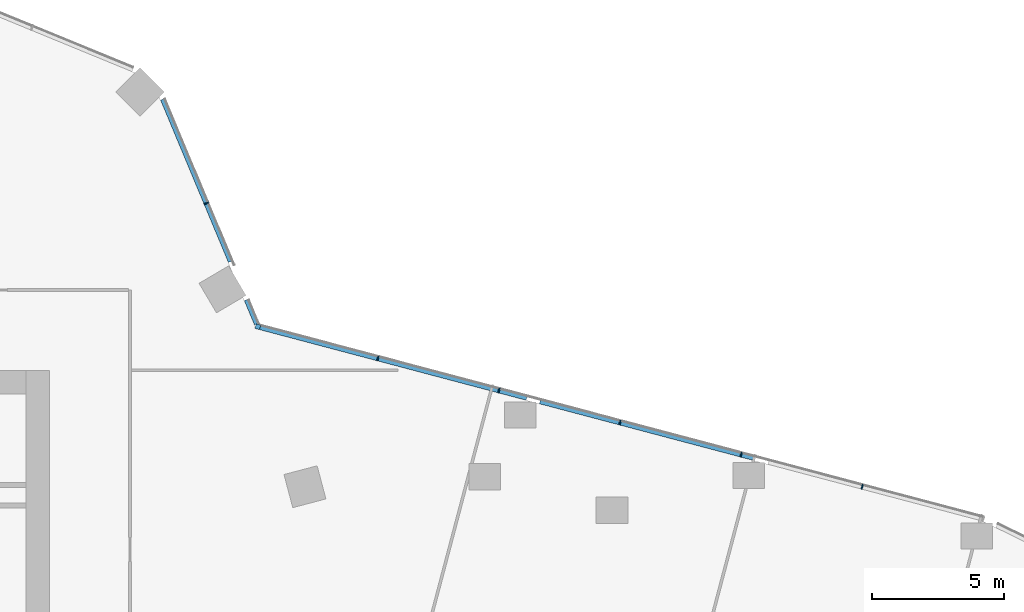
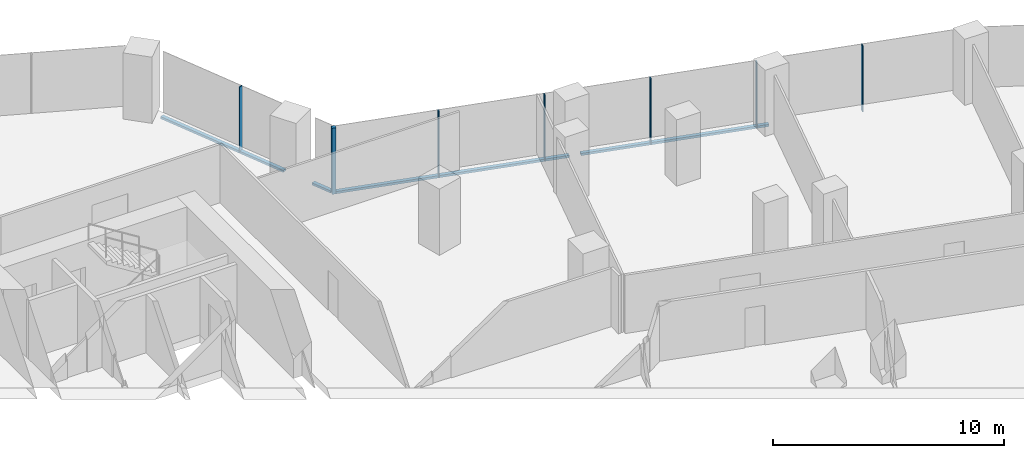
# One storey, part 14 of 34: 11 members, 2 elements without a shape of their own.
"""IFC4 building model written with IfcOpenShell, lengths in metres."""

from ifc_helpers import new_model, si_unit, direction, frame, origin, origin_2d, place, context, subcontext, project, spatial, rectangle, extrude, material, material_profile, profile_set, type_object, element, aggregate, save


model = new_model("IFC4")

# Units and contexts
model_context = context("Model", 3, precision=1e-05, world=origin(), true_north=direction((0.0, 1.0)))
body_context = subcontext(model_context, "Body", "Model", "MODEL_VIEW")
ifc_project = project(units=[si_unit("LENGTHUNIT", "METRE"), si_unit("AREAUNIT", "SQUARE_METRE"), si_unit("VOLUMEUNIT", "CUBIC_METRE"), si_unit("PLANEANGLEUNIT", "RADIAN"), si_unit("MASSUNIT", "GRAM", prefix="KILO")], contexts=[model_context])

# Site, building, storey
site_placement = place(None, origin())
site = spatial("IfcSite", under=ifc_project, at=site_placement, CompositionType="ELEMENT")
building_placement = place(site_placement, origin())
building = spatial("IfcBuilding", under=site, at=building_placement, Name="Orlundy Tower", CompositionType="ELEMENT")
storey_placement = place(building_placement, frame((0.0, 0.0, 105.699951171875)))
storey = spatial("IfcBuildingStorey", under=building, at=storey_placement, Name="L26", CompositionType="ELEMENT", Elevation=105.699951171875)

# Curtain wall, member
ifc_material_1 = material(Name="Aluminium bronze anodised", Category="aluminium")
curtain_wall_type = type_object("IfcCurtainWallType", Name="CW1 wall", PredefinedType="NOTDEFINED", material=ifc_material_1)
curtain_wall_1_placement = place(storey_placement, origin())
curtain_wall_1 = element("IfcCurtainWall", 1, at=curtain_wall_1_placement, inside=storey, type_object=curtain_wall_type, Name="CW1 run 018", PredefinedType="NOTDEFINED")
ifc_material_2 = material(Name="Aluminium bronze anodised", Category="aluminium")
ifc_material_profile_1 = material_profile(ifc_material_2, rectangle(XDim=0.179931640625, YDim=0.179931640625, at=origin_2d()), Name="CW1 corner post 180x180")
ifc_profile_set_1 = profile_set([ifc_material_profile_1], Name="Aluminium bronze anodised")
member_type_1 = type_object("IfcMemberType", Name="CW1 corner post 180x180", PredefinedType="MULLION", material=ifc_profile_set_1)
member_1_placement = place(storey_placement, frame((26.905029296875, 13.65771484375, -0.39990234375), z_axis=(0.0, 0.0, 1.0), x_axis=(0.256019713949, 0.966671560598, 0.0)))
member_1 = element("IfcMember", 2, at=member_1_placement, type_object=member_type_1, Name="CW1 mullion 51", PredefinedType="MULLION", context=body_context, shape_type="SweptSolid", body=[
    extrude(rectangle(XDim=0.179931640625, YDim=0.179931640625, at=origin_2d()), origin(), (0.0, 0.0, 1.0), 3.5),
])

curtain_wall_2_placement = place(storey_placement, origin())
curtain_wall_2 = element("IfcCurtainWall", 3, at=curtain_wall_2_placement, inside=storey, type_object=curtain_wall_type, Name="CW1 run 017", PredefinedType="NOTDEFINED")
ifc_material_3 = material(Name="Aluminium bronze anodised", Category="aluminium")
ifc_material_profile_2 = material_profile(ifc_material_3, rectangle(XDim=0.179931640625, YDim=0.050048828125, at=origin_2d()), Name="CW1 mullion 50x180")
ifc_profile_set_2 = profile_set([ifc_material_profile_2], Name="Aluminium bronze anodised")
member_type_2 = type_object("IfcMemberType", Name="CW1 mullion 50x180", PredefinedType="MULLION", material=ifc_profile_set_2)
member_2_placement = place(storey_placement, frame((24.949462890625, 18.339599609375, -0.39990234375), z_axis=(0.0, 0.0, 1.0), x_axis=(0.922758688949, 0.385378258299, 0.0)))
member_2 = element("IfcMember", 4, at=member_2_placement, type_object=member_type_2, Name="CW1 mullion 50", PredefinedType="MULLION", context=body_context, shape_type="SweptSolid", body=[
    extrude(rectangle(XDim=0.179931640625, YDim=0.050048828125, at=origin_2d()), origin(), (0.0, 0.0, 1.0), 3.5),
])

# Member
member_3_placement = place(storey_placement, frame((31.458984375, 12.451416015625, -0.39990234375), z_axis=(0.0, 0.0, 1.0), x_axis=(0.256019713949, 0.966671560598, 0.0)))
member_3 = element("IfcMember", 5, at=member_3_placement, type_object=member_type_2, Name="CW1 mullion 52", PredefinedType="MULLION", context=body_context, shape_type="SweptSolid", body=[
    extrude(rectangle(XDim=0.179931640625, YDim=0.050048828125, at=origin_2d()), origin(), (0.0, 0.0, 1.0), 3.5),
])

member_4_placement = place(storey_placement, frame((36.05615234375, 11.23388671875, -0.39990234375), z_axis=(0.0, 0.0, 1.0), x_axis=(0.256019713949, 0.966671560598, 0.0)))
member_4 = element("IfcMember", 6, at=member_4_placement, type_object=member_type_2, Name="CW1 mullion 53", PredefinedType="MULLION", context=body_context, shape_type="SweptSolid", body=[
    extrude(rectangle(XDim=0.179931640625, YDim=0.050048828125, at=origin_2d()), origin(), (0.0, 0.0, 1.0), 3.5),
])

member_5_placement = place(storey_placement, frame((40.653076171875, 10.0166015625, -0.39990234375), z_axis=(0.0, 0.0, 1.0), x_axis=(0.256019713949, 0.966671560598, 0.0)))
member_5 = element("IfcMember", 7, at=member_5_placement, type_object=member_type_2, Name="CW1 mullion 54", PredefinedType="MULLION", context=body_context, shape_type="SweptSolid", body=[
    extrude(rectangle(XDim=0.179931640625, YDim=0.050048828125, at=origin_2d()), origin(), (0.0, 0.0, 1.0), 3.5),
])

member_6_placement = place(storey_placement, frame((45.25, 8.799072265625, -0.39990234375), z_axis=(0.0, 0.0, 1.0), x_axis=(0.256019713949, 0.966671560598, 0.0)))
member_6 = element("IfcMember", 8, at=member_6_placement, type_object=member_type_2, Name="CW1 mullion 55", PredefinedType="MULLION", context=body_context, shape_type="SweptSolid", body=[
    extrude(rectangle(XDim=0.179931640625, YDim=0.050048828125, at=origin_2d()), origin(), (0.0, 0.0, 1.0), 3.5),
])

member_7_placement = place(storey_placement, frame((49.846923828125, 7.58154296875, -0.39990234375), z_axis=(0.0, 0.0, 1.0), x_axis=(0.256019713949, 0.966671560598, 0.0)))
member_7 = element("IfcMember", 9, at=member_7_placement, type_object=member_type_2, Name="CW1 mullion 56", PredefinedType="MULLION", context=body_context, shape_type="SweptSolid", body=[
    extrude(rectangle(XDim=0.179931640625, YDim=0.050048828125, at=origin_2d()), origin(), (0.0, 0.0, 1.0), 3.5),
])

ifc_material_4 = material(Name="Aluminium bronze anodised", Category="aluminium")
ifc_material_profile_3 = material_profile(ifc_material_4, rectangle(XDim=0.179931640625, YDim=0.1201171875, at=origin_2d()), Name="CW1 transom 180x120")
ifc_profile_set_3 = profile_set([ifc_material_profile_3], Name="Aluminium bronze anodised")
member_type_3 = type_object("IfcMemberType", Name="CW1 transom 180x120", PredefinedType="USERDEFINED", material=ifc_profile_set_3)
member_8_placement = place(storey_placement, frame((23.29638671875, 22.2978515625, -0.33984375), z_axis=(0.385382794514, -0.922756794444, 0.0), x_axis=(0.922756794444, 0.385382794514, 0.0)))
member_8 = element("IfcMember", 10, at=member_8_placement, type_object=member_type_3, Name="CW1 transom", ObjectType="TRANSOM", PredefinedType="USERDEFINED", context=body_context, shape_type="SweptSolid", body=[
    extrude(rectangle(XDim=0.179931640625, YDim=0.1201171875, at=origin_2d()), origin(), (0.0, 0.0, 1.0), 6.685302734375),
])

member_9_placement = place(storey_placement, frame((26.47607421875, 14.6845703125, -0.33984375), z_axis=(0.385413000018, -0.92274417875, 0.0), x_axis=(0.92274417875, 0.385413000018, 0.0)))
member_9 = element("IfcMember", 11, at=member_9_placement, type_object=member_type_3, Name="CW1 transom", ObjectType="TRANSOM", PredefinedType="USERDEFINED", context=body_context, shape_type="SweptSolid", body=[
    extrude(rectangle(XDim=0.179931640625, YDim=0.1201171875, at=origin_2d()), origin(), (0.0, 0.0, 1.0), 0.99951171875),
])

aggregate(curtain_wall_2, [member_2, member_8, member_9])

member_10_placement = place(storey_placement, frame((26.991943359375, 13.634521484375, -0.33984375), z_axis=(0.966674502296, -0.256008606518, 0.0), x_axis=(0.256008606518, 0.966674502296, 0.0)))
member_10 = element("IfcMember", 12, at=member_10_placement, type_object=member_type_3, Name="CW1 transom", ObjectType="TRANSOM", PredefinedType="USERDEFINED", context=body_context, shape_type="SweptSolid", body=[
    extrude(rectangle(XDim=0.179931640625, YDim=0.1201171875, at=origin_2d()), origin(), (0.0, 0.0, 1.0), 10.46630859375),
])

member_11_placement = place(storey_placement, frame((37.616943359375, 10.820556640625, -0.33984375), z_axis=(0.966670489841, -0.256023756848, 0.0), x_axis=(0.256023756848, 0.966670489841, 0.0)))
member_11 = element("IfcMember", 13, at=member_11_placement, type_object=member_type_3, Name="CW1 transom", ObjectType="TRANSOM", PredefinedType="USERDEFINED", context=body_context, shape_type="SweptSolid", body=[
    extrude(rectangle(XDim=0.179931640625, YDim=0.1201171875, at=origin_2d()), origin(), (0.0, 0.0, 1.0), 8.439208984375),
])

aggregate(curtain_wall_1, [member_1, member_3, member_4, member_5, member_6, member_7, member_10, member_11])

save(model, "model.ifc")
